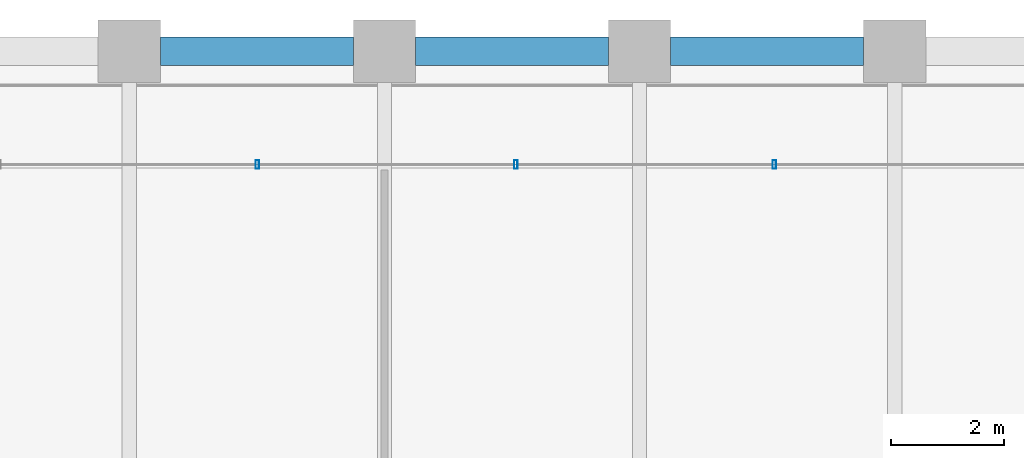
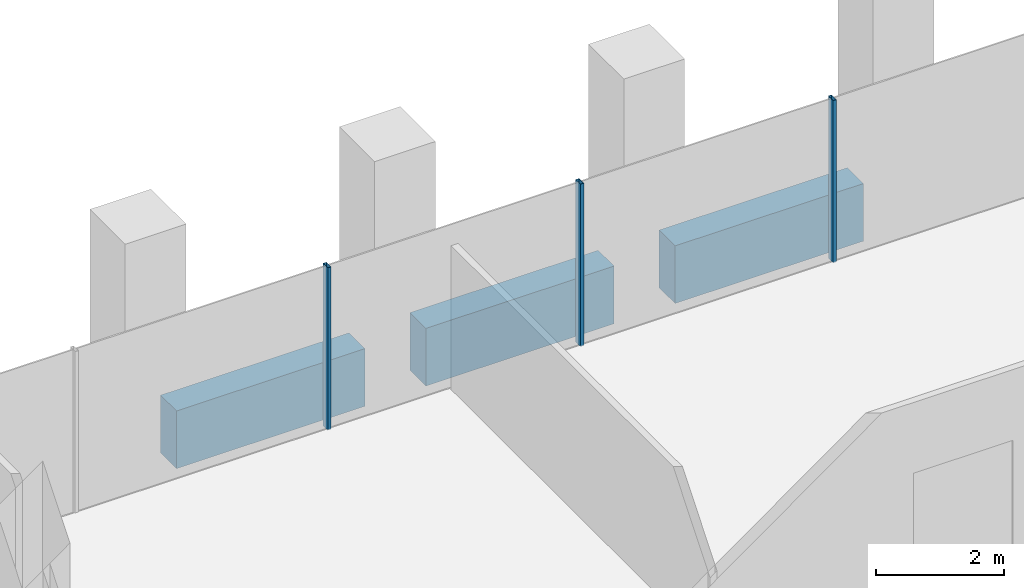
# One storey, part 29 of 56: 3 beams, 3 members, 1 element without a shape of its own.
"""IFC4 building model written with IfcOpenShell, lengths in metres."""

from ifc_helpers import new_model, si_unit, direction, frame, origin, origin_2d, place, context, subcontext, project, spatial, rectangle, hollow_rectangle, extrude, material, material_profile, profile_set, type_object, element, aggregate, save


model = new_model("IFC4")

# Units and contexts
model_context = context("Model", 3, precision=1e-05, world=origin(), true_north=direction((0.0, 1.0)))
body_context = subcontext(model_context, "Body", "Model", "MODEL_VIEW")
ifc_project = project(units=[si_unit("LENGTHUNIT", "METRE"), si_unit("AREAUNIT", "SQUARE_METRE"), si_unit("VOLUMEUNIT", "CUBIC_METRE"), si_unit("PLANEANGLEUNIT", "RADIAN"), si_unit("MASSUNIT", "GRAM", prefix="KILO")], contexts=[model_context])

# Site, building, storey
site_placement = place(None, origin())
site = spatial("IfcSite", under=ifc_project, at=site_placement, CompositionType="ELEMENT")
building_placement = place(site_placement, origin())
building = spatial("IfcBuilding", under=site, at=building_placement, Name="Altepetl Exchange Towers", CompositionType="ELEMENT")
storey_placement = place(building_placement, frame((0.0, 0.0, 79.800048828125)))
storey = spatial("IfcBuildingStorey", under=building, at=storey_placement, Name="L19", CompositionType="ELEMENT", Elevation=79.800048828125)

# Curtain wall, members
ifc_material_1 = material(Name="Aluminium 6063-T6 glazing", Category="aluminium")
curtain_wall_type = type_object("IfcCurtainWallType", Name="Loggia glazing system", PredefinedType="NOTDEFINED", material=ifc_material_1)
curtain_wall_placement = place(storey_placement, origin())
curtain_wall = element("IfcCurtainWall", 1, at=curtain_wall_placement, inside=storey, type_object=curtain_wall_type, Name="CW1 run", PredefinedType="NOTDEFINED")
ifc_material_2 = material(Name="Aluminium 6063-T6", Category="aluminium")
ifc_material_profile_1 = material_profile(ifc_material_2, hollow_rectangle(XDim=0.06005859375, YDim=0.14990234375, WallThickness=0.0029296875, at=origin_2d()), Name="Mullion 60x150 aluminium")
ifc_profile_set_1 = profile_set([ifc_material_profile_1], Name="Aluminium 6063-T6")
member_type = type_object("IfcMemberType", Name="Mullion 60x150 aluminium", PredefinedType="MULLION", material=ifc_profile_set_1)
member_1_placement = place(storey_placement, frame((56.378662109375, 70.0, 0.0), z_axis=(0.0, 0.0, 1.0), x_axis=(-1.0, 0.0, 0.0)))
member_1 = element("IfcMember", 2, at=member_1_placement, type_object=member_type, Name="MU1 mullion", PredefinedType="MULLION", context=body_context, shape_type="SweptSolid", body=[
    extrude(hollow_rectangle(XDim=0.06005859375, YDim=0.14990234375, WallThickness=0.0029296875, at=origin_2d()), origin(), (0.0, 0.0, 1.0), 3.099853515625),
])
member_2_placement = place(storey_placement, frame((51.81787109375, 70.0, 0.0), z_axis=(0.0, 0.0, 1.0), x_axis=(-1.0, 0.0, 0.0)))
member_2 = element("IfcMember", 3, at=member_2_placement, type_object=member_type, Name="MU1 mullion", PredefinedType="MULLION", context=body_context, shape_type="SweptSolid", body=[
    extrude(hollow_rectangle(XDim=0.06005859375, YDim=0.14990234375, WallThickness=0.0029296875, at=origin_2d()), origin(), (0.0, 0.0, 1.0), 3.099853515625),
])
member_3_placement = place(storey_placement, frame((47.257080078125, 70.0, 0.0), z_axis=(0.0, 0.0, 1.0), x_axis=(-1.0, 0.0, 0.0)))
member_3 = element("IfcMember", 4, at=member_3_placement, type_object=member_type, Name="MU1 mullion", PredefinedType="MULLION", context=body_context, shape_type="SweptSolid", body=[
    extrude(hollow_rectangle(XDim=0.06005859375, YDim=0.14990234375, WallThickness=0.0029296875, at=origin_2d()), origin(), (0.0, 0.0, 1.0), 3.099853515625),
])
aggregate(curtain_wall, [member_1, member_2, member_3])

# Beams
ifc_material_3 = material(Name="Concrete C50/60 precast with cantera rosa facing", Category="concrete")
ifc_material_profile_2 = material_profile(ifc_material_3, rectangle(XDim=0.5, YDim=1.10009765625, at=origin_2d()), Name="500 x 1100")
ifc_profile_set_2 = profile_set([ifc_material_profile_2], Name="Concrete C50/60 precast with cantera rosa facing")
beam_type = type_object("IfcBeamType", Name="Spandrel beam 500x1100 cantera rosa", PredefinedType="SPANDREL", material=ifc_profile_set_2)
for number, where, z_axis, x_axis, name in (
    (5, (57.949951171875, 72.0, -0.699951171875), (-1.0, 0.0, 0.0), (0.0, -1.0, 0.0), "sp:A:L19:026"),
    (6, (53.449951171875, 72.0, -0.699951171875), (-1.0, 0.0, 0.0), (0.0, -1.0, 0.0), "sp:A:L19:027"),
    (7, (48.949951171875, 72.0, -0.699951171875), (-1.0, 0.0, 0.0), (0.0, -1.0, 0.0), "sp:A:L19:028"),
):
    element("IfcBeam", number, at=place(storey_placement, frame(where, z_axis=z_axis, x_axis=x_axis)), inside=storey, type_object=beam_type, Name=name, PredefinedType="SPANDREL", context=body_context, shape_type="SweptSolid", body=[
        extrude(rectangle(XDim=0.5, YDim=1.10009765625, at=origin_2d()), origin(), (0.0, 0.0, 1.0), 3.39990234375),
    ])

save(model, "model.ifc")
